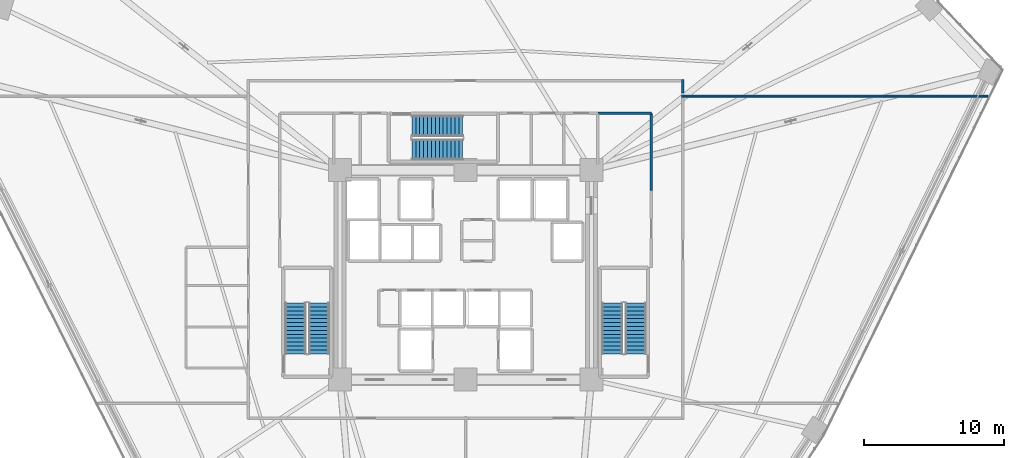
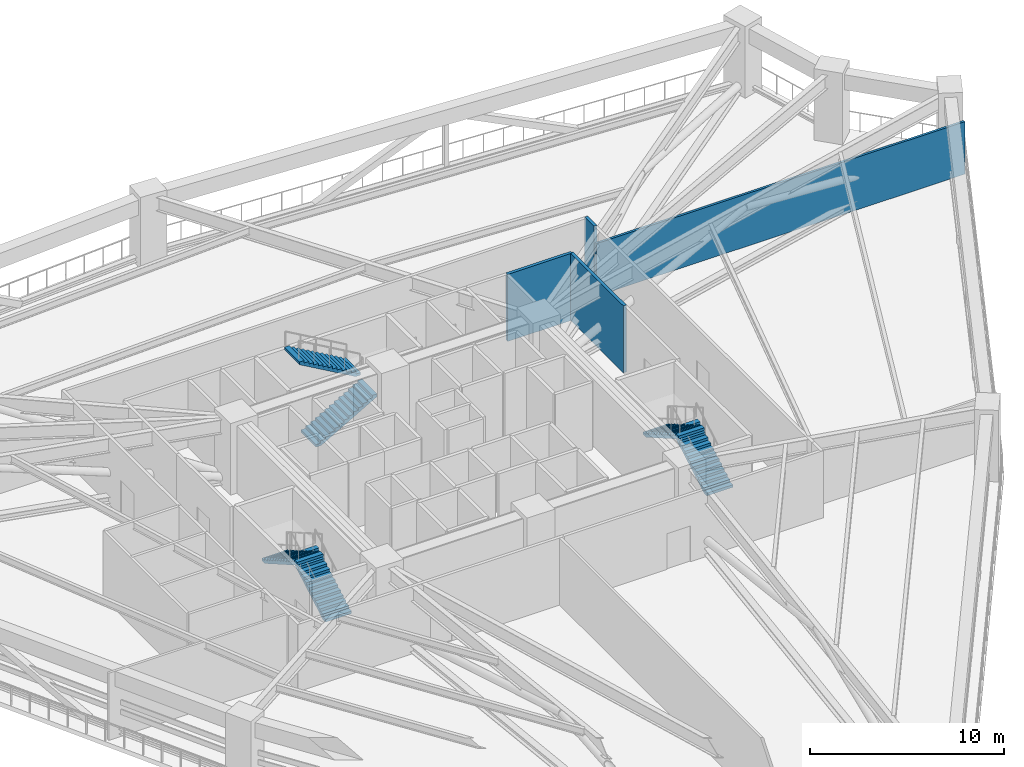
# One storey, part 20 of 25: 6 stair flights, 4 walls, 3 elements without a shape of their own.
"""IFC4 building model written with IfcOpenShell, lengths in metres."""

import ifcopenshell
import ifcopenshell.guid

model = None  # the IFC model being written
_history = None  # IfcOwnerHistory: only IFC2X3 demands one
_inside = {}  # id of a spatial element -> (the spatial element, [elements in it])
_under = {}  # id of a project, library or spatial element -> (it, [spatial elements below it])
_declared = {}  # id of a project -> (the project, [libraries it declares])
_typed = {}  # id of a type object -> (the type object, [elements of that type])
_made_of = {}  # id of a material, layer set ... -> (it, [elements and type objects made of it])


def new_model(schema):
    """Start an empty IFC model of exactly this schema.

    Asked for "IFC4X3", IfcOpenShell would pick the latest addendum, in which some entities
    have other attributes; the version numbers below select the first issue.
    IFC2X3 requires an IfcOwnerHistory on every rooted entity: one is made here for all.
    """
    global model, _history
    if schema == "IFC4X3":
        model = ifcopenshell.file(schema_version=(4, 3, 0, 0))
    else:
        model = ifcopenshell.file(schema=schema)
    _inside.clear()
    _under.clear()
    _declared.clear()
    _typed.clear()
    _made_of.clear()
    _history = None
    if model.schema == "IFC2X3":
        org = make("IfcOrganization", Name="unknown")
        user = make(
            "IfcPersonAndOrganization",
            ThePerson=make("IfcPerson", FamilyName="unknown"),
            TheOrganization=org,
        )
        app = make(
            "IfcApplication",
            ApplicationDeveloper=org,
            Version="unknown",
            ApplicationFullName="unknown",
            ApplicationIdentifier="unknown",
        )
        _history = make(
            "IfcOwnerHistory",
            OwningUser=user,
            OwningApplication=app,
            ChangeAction="ADDED",
            CreationDate=0,
        )
    return model


def make(cls, **values):
    """One entity of the class cls with the attributes given. An attribute that is None is left unset."""
    return model.create_entity(
        cls, **{name: value for name, value in values.items() if value is not None}
    )


def rooted(cls, **values):
    """An entity with a GlobalId (a new one), such as an element, a storey or a relation."""
    return make(cls, GlobalId=ifcopenshell.guid.new(), OwnerHistory=_history, **values)


def si_unit(unit_type, name, prefix=None):
    """IfcSIUnit, for example si_unit("LENGTHUNIT", "METRE", prefix="MILLI")."""
    return make("IfcSIUnit", UnitType=unit_type, Prefix=prefix, Name=name)


def assignment(units):
    """IfcUnitAssignment: the units of a project."""
    return None if units is None else make("IfcUnitAssignment", Units=units)


def point(xyz):
    """IfcCartesianPoint."""
    return None if xyz is None else make("IfcCartesianPoint", Coordinates=xyz)


def direction(xyz):
    """IfcDirection."""
    return None if xyz is None else make("IfcDirection", DirectionRatios=xyz)


def frame(location, z_axis=None, x_axis=None):
    """IfcAxis2Placement3D, a coordinate frame: its origin and axes. An axis left out is left unset."""
    return make(
        "IfcAxis2Placement3D",
        Location=point(location),
        Axis=direction(z_axis),
        RefDirection=direction(x_axis),
    )


def frame_2d(location, x_axis=None):
    """IfcAxis2Placement2D, a coordinate frame in the plane: its origin and x axis."""
    return make(
        "IfcAxis2Placement2D", Location=point(location), RefDirection=direction(x_axis)
    )


def origin():
    """The frame at (0, 0, 0) with its axes left unset."""
    return frame((0.0, 0.0, 0.0))


def place(relative_to, where):
    """IfcLocalPlacement: puts the frame where relative to a parent placement (None: the world)."""
    return make(
        "IfcLocalPlacement", PlacementRelTo=relative_to, RelativePlacement=where
    )


def context(
    kind, dimensions, precision=None, world=None, true_north=None, identifier=None
):
    """IfcGeometricRepresentationContext, for example the 3D "Model" context."""
    return make(
        "IfcGeometricRepresentationContext",
        ContextIdentifier=identifier,
        ContextType=kind,
        CoordinateSpaceDimension=dimensions,
        Precision=precision,
        WorldCoordinateSystem=world,
        TrueNorth=true_north,
    )


def subcontext(parent, identifier, kind, view, scale=None):
    """IfcGeometricRepresentationSubContext, for example "Body" below "Model"."""
    return make(
        "IfcGeometricRepresentationSubContext",
        ContextIdentifier=identifier,
        ContextType=kind,
        ParentContext=parent,
        TargetScale=scale,
        TargetView=view,
    )


def project(units=None, contexts=None):
    """IfcProject with its units and contexts."""
    return rooted(
        "IfcProject",
        Name="project",
        RepresentationContexts=contexts,
        UnitsInContext=assignment(units),
    )


def spatial(cls, under=None, at=None, **own):
    """A site, building, storey or space (cls), placed at a placement, below another one or the project."""
    s = rooted(cls, ObjectPlacement=at, **own)
    if under is not None:
        _under.setdefault(under.id(), (under, []))[1].append(s)
    return s


def polyline(points):
    """IfcPolyline through the points."""
    return make("IfcPolyline", Points=[point(p) for p in points])


def profile(cls, at=None, kind="AREA", **sizes):
    """A parametric profile (cls). Its sizes go by their IFC names, for example OverallWidth=200.0."""
    return make(cls, ProfileType=kind, Position=at, **sizes)


def rectangle(**sizes):
    """IfcRectangleProfileDef."""
    return profile("IfcRectangleProfileDef", **sizes)


def outline(outer, holes=None, kind="AREA"):
    """IfcArbitraryClosedProfileDef: a profile drawn as a closed curve; with holes, ...WithVoids."""
    if holes is None:
        return make("IfcArbitraryClosedProfileDef", ProfileType=kind, OuterCurve=outer)
    return make(
        "IfcArbitraryProfileDefWithVoids",
        ProfileType=kind,
        OuterCurve=outer,
        InnerCurves=holes,
    )


def extrude(swept, where, along, depth):
    """IfcExtrudedAreaSolid: the profile swept, set in the frame where, extruded along a direction by depth."""
    return make(
        "IfcExtrudedAreaSolid",
        SweptArea=swept,
        Position=where,
        ExtrudedDirection=direction(along),
        Depth=depth,
    )


def shape(context_of_items, identifier, shape_type, items):
    """IfcShapeRepresentation: the items that make up one representation, for example the "Body"."""
    return make(
        "IfcShapeRepresentation",
        ContextOfItems=context_of_items,
        RepresentationIdentifier=identifier,
        RepresentationType=shape_type,
        Items=items,
    )


def material(Name=None, Category=None):
    """IfcMaterial."""
    return make("IfcMaterial", Name=Name, Category=Category)


def layer(
    of_material, thickness, ventilated=None, Name=None, Category=None, Priority=None
):
    """IfcMaterialLayer: one layer of a wall or slab, of a material (None: an air gap)."""
    return make(
        "IfcMaterialLayer",
        Material=of_material,
        LayerThickness=thickness,
        IsVentilated=ventilated,
        Name=Name,
        Category=Category,
        Priority=Priority,
    )


def layer_set(layers, Name=None):
    """IfcMaterialLayerSet."""
    return make("IfcMaterialLayerSet", MaterialLayers=layers, LayerSetName=Name)


def made_of(thing, what):
    """Note that an element or type object is made of a material, layer set ...; save() writes the relation."""
    if what is not None:
        _made_of.setdefault(what.id(), (what, []))[1].append(thing)
    return thing


def type_object(cls, material=None, **own):
    """A type object (cls), such as IfcWallType, which elements share."""
    return made_of(rooted(cls, **own), material)


def element(
    cls,
    number,
    at=None,
    inside=None,
    cuts=None,
    type_object=None,
    material=None,
    context=None,
    identifier="Body",
    shape_type=None,
    held_by="IfcProductDefinitionShape",
    body=None,
    shapes=None,
    **own,
):
    """One element of the class cls, such as IfcWall. Its Tag is "e" and its number.

    at: its placement. inside: the storey or other place that contains it. cuts: it is an
    opening in that element (IfcRelVoidsElement). A single representation is given by context,
    identifier, shape_type and body (its items); several are given by shapes. held_by: the class
    of the entity that holds the representations. save() writes the other relations.
    """
    e = rooted(cls, Tag="e%d" % number, ObjectPlacement=at, **own)
    if body is not None:
        shapes = [shape(context, identifier, shape_type, body)]
    if shapes is not None:
        e.Representation = make(held_by, Representations=shapes)
    if inside is not None:
        _inside.setdefault(inside.id(), (inside, []))[1].append(e)
    if cuts is not None:
        rooted(
            "IfcRelVoidsElement", RelatingBuildingElement=cuts, RelatedOpeningElement=e
        )
    if type_object is not None:
        _typed.setdefault(type_object.id(), (type_object, []))[1].append(e)
    return made_of(e, material)


def aggregate(whole, parts):
    """IfcRelAggregates: a whole, such as a stair, and the parts it consists of."""
    return rooted("IfcRelAggregates", RelatingObject=whole, RelatedObjects=parts)


def save(model, path):
    """Write the relations noted so far, then the file.

    IfcRelAggregates (storeys below a building ...), IfcRelContainedInSpatialStructure (elements
    in a storey), IfcRelDefinesByType, IfcRelAssociatesMaterial and IfcRelDeclares: one each for
    every whole, place, type object, material and project.
    """
    for whole, parts in _under.values():
        aggregate(whole, parts)
    for where, things in _inside.values():
        rooted(
            "IfcRelContainedInSpatialStructure",
            RelatedElements=things,
            RelatingStructure=where,
        )
    for kind, things in _typed.values():
        rooted("IfcRelDefinesByType", RelatedObjects=things, RelatingType=kind)
    for what, things in _made_of.values():
        rooted("IfcRelAssociatesMaterial", RelatedObjects=things, RelatingMaterial=what)
    for by, libraries in _declared.values():
        rooted("IfcRelDeclares", RelatingContext=by, RelatedDefinitions=libraries)
    model.write(path)


model = new_model("IFC4")

# Units and contexts
model_context = context("Model", 3, precision=1e-05, world=origin(), true_north=direction((0.0, 1.0)))
body_context = subcontext(model_context, "Body", "Model", "MODEL_VIEW")
ifc_project = project(units=[si_unit("LENGTHUNIT", "METRE"), si_unit("AREAUNIT", "SQUARE_METRE"), si_unit("VOLUMEUNIT", "CUBIC_METRE"), si_unit("PLANEANGLEUNIT", "RADIAN"), si_unit("MASSUNIT", "GRAM", prefix="KILO")], contexts=[model_context])

# Site, building, storey
site_placement = place(None, origin())
site = spatial("IfcSite", under=ifc_project, at=site_placement, CompositionType="ELEMENT")
building_placement = place(site_placement, origin())
building = spatial("IfcBuilding", under=site, at=building_placement, Name="Liaohun Quay Tower", CompositionType="ELEMENT")
storey_placement = place(building_placement, frame((0.0, 0.0, 93.0)))
storey = spatial("IfcBuildingStorey", under=building, at=storey_placement, Name="L24", CompositionType="ELEMENT", Elevation=93.0)

# Walls
ifc_material_1 = material(Name="Autoclaved aerated concrete blockwork", Category="masonry")
ifc_layer_1 = layer(ifc_material_1, 0.179931640625, Name="Autoclaved aerated concrete blockwork", Category="masonry")
ifc_layer_set_1 = layer_set([ifc_layer_1], Name="Autoclaved aerated concrete blockwork")
wall_type_1 = type_object("IfcWallType", Name="WAL-PRT-COR", PredefinedType="PARTITIONING", material=ifc_layer_set_1)
wall_1_placement = place(storey_placement, frame((69.4599609375, 65.580078125, 0.0), z_axis=(0.0, 0.0, 1.0), x_axis=(1.0, 0.0, 0.0)))
element("IfcWall", 1, at=wall_1_placement, inside=storey, type_object=wall_type_1, Name="L24 Interior Partition Wall 035", PredefinedType="PARTITIONING", context=body_context, shape_type="SweptSolid", body=[
    extrude(rectangle(XDim=3.840087890625, YDim=0.179931640625, at=frame_2d((1.919921875, 0.0))), origin(), (0.0, 0.0, 1.0), 4.219970703125),
])
wall_2_placement = place(storey_placement, frame((73.300048828125, 60.06005859375, 0.0), z_axis=(0.0, 0.0, 1.0), x_axis=(0.0, 1.0, 0.0)))
element("IfcWall", 2, at=wall_2_placement, inside=storey, type_object=wall_type_1, Name="L24 Interior Partition Wall 037", PredefinedType="PARTITIONING", context=body_context, shape_type="SweptSolid", body=[
    extrude(rectangle(XDim=5.52001953125, YDim=0.179931640625, at=frame_2d((2.760009765625, 0.0))), origin(), (0.0, 0.0, 1.0), 4.219970703125),
])
wall_3_placement = place(storey_placement, frame((75.56005859375, 67.97998046875, 0.0), z_axis=(0.0, 0.0, 1.0), x_axis=(0.0, -1.0, 0.0)))
element("IfcWall", 3, at=wall_3_placement, inside=storey, type_object=wall_type_1, Name="L24 Interior Partition Wall 039", PredefinedType="PARTITIONING", context=body_context, shape_type="SweptSolid", body=[
    extrude(rectangle(XDim=0.965087890625, YDim=0.179931640625, at=frame_2d((0.482421875, 0.0))), origin(), (0.0, 0.0, 1.0), 4.219970703125),
])
ifc_material_2 = material(Name="Gypsum board on twin steel studs", Category="steel")
ifc_layer_2 = layer(ifc_material_2, 0.139892578125, Name="Gypsum board on twin steel studs", Category="steel")
ifc_layer_set_2 = layer_set([ifc_layer_2], Name="Gypsum board on twin steel studs")
wall_type_2 = type_object("IfcWallType", Name="WAL-PRT-OFF", PredefinedType="PARTITIONING", material=ifc_layer_set_2)
wall_4_placement = place(storey_placement, frame((75.4599609375, 66.800048828125, 0.0), z_axis=(0.0, 0.0, 1.0), x_axis=(1.0, 0.0, 0.0)))
element("IfcWall", 4, at=wall_4_placement, inside=storey, type_object=wall_type_2, Name="L24 Interior Partition Wall 046", PredefinedType="PARTITIONING", context=body_context, shape_type="SweptSolid", body=[
    extrude(rectangle(XDim=21.91015625, YDim=0.139892578125, at=frame_2d((10.955078125, 0.0))), origin(), (0.0, 0.0, 1.0), 3.304931640625),
])

# Stair, stair flights
ifc_material_3 = material(Name="Concrete C45", Category="concrete")
stair_type = type_object("IfcStairType", Name="STR-CORE-TALL", PredefinedType="HALF_TURN_STAIR", material=ifc_material_3)
stair_1_placement = place(storey_placement, origin())
stair_1 = element("IfcStair", 5, at=stair_1_placement, inside=storey, type_object=stair_type, Name="L24 Smokeproof Core Exit Stair ST-1", PredefinedType="HALF_TURN_STAIR")
stair_flight_type = type_object("IfcStairFlightType", Name="FLT-CORE-155", PredefinedType="STRAIGHT", material=ifc_material_3)
stair_flight_1_placement = place(storey_placement, frame((49.5048828125, 48.35009765625, 0.0), z_axis=(0.0, 0.0, 1.0), x_axis=(0.0, 1.0, 0.0)))
stair_flight_1 = element("IfcStairFlight", 6, at=stair_flight_1_placement, type_object=stair_flight_type, Name="ST-1 flight 1", NumberOfRisers=14, NumberOfTreads=13, PredefinedType="STRAIGHT", RiserHeight=0.160714286, TreadLength=0.28, context=body_context, shape_type="SweptSolid", body=[
    extrude(outline(polyline([(0.0, 0.0), (0.0, 0.16064453125), (0.280029296875, 0.16064453125), (0.280029296875, 0.321533203125), (0.56005859375, 0.321533203125), (0.56005859375, 0.482177734375), (0.840087890625, 0.482177734375), (0.840087890625, 0.642822265625), (1.1201171875, 0.642822265625), (1.1201171875, 0.803466796875), (1.39990234375, 0.803466796875), (1.39990234375, 0.96435546875), (1.679931640625, 0.96435546875), (1.679931640625, 1.125), (1.9599609375, 1.125), (1.9599609375, 1.28564453125), (2.239990234375, 1.28564453125), (2.239990234375, 1.446533203125), (2.52001953125, 1.446533203125), (2.52001953125, 1.607177734375), (2.800048828125, 1.607177734375), (2.800048828125, 1.767822265625), (3.080078125, 1.767822265625), (3.080078125, 1.928466796875), (3.360107421875, 1.928466796875), (3.360107421875, 2.08935546875), (3.639892578125, 2.08935546875), (3.639892578125, 2.25), (3.639892578125, 1.91650390625), (0.301025390625, 0.0), (0.0, 0.0)])), frame((0.0, 0.77490234375, 0.0), z_axis=(0.0, -1.0, 0.0), x_axis=(1.0, 0.0, 0.0)), (0.0, 0.0, 1.0), 1.550048828125),
])
stair_flight_2_placement = place(storey_placement, frame((47.81494140625, 51.989990234375, 2.25), z_axis=(0.0, 0.0, 1.0), x_axis=(0.0, -1.0, 0.0)))
stair_flight_2 = element("IfcStairFlight", 7, at=stair_flight_2_placement, type_object=stair_flight_type, Name="ST-1 flight 2", NumberOfRisers=14, NumberOfTreads=13, PredefinedType="STRAIGHT", RiserHeight=0.160714286, TreadLength=0.28, context=body_context, shape_type="SweptSolid", body=[
    extrude(outline(polyline([(0.0, 0.0), (0.0, 0.16064453125), (0.280029296875, 0.16064453125), (0.280029296875, 0.321533203125), (0.56005859375, 0.321533203125), (0.56005859375, 0.482177734375), (0.840087890625, 0.482177734375), (0.840087890625, 0.642822265625), (1.1201171875, 0.642822265625), (1.1201171875, 0.803466796875), (1.39990234375, 0.803466796875), (1.39990234375, 0.96435546875), (1.679931640625, 0.96435546875), (1.679931640625, 1.125), (1.9599609375, 1.125), (1.9599609375, 1.28564453125), (2.239990234375, 1.28564453125), (2.239990234375, 1.446533203125), (2.52001953125, 1.446533203125), (2.52001953125, 1.607177734375), (2.800048828125, 1.607177734375), (2.800048828125, 1.767822265625), (3.080078125, 1.767822265625), (3.080078125, 1.928466796875), (3.360107421875, 1.928466796875), (3.360107421875, 2.08935546875), (3.639892578125, 2.08935546875), (3.639892578125, 2.25), (3.639892578125, 1.91650390625), (0.301025390625, 0.0), (0.0, 0.0)])), frame((0.0, 0.77490234375, 0.0), z_axis=(0.0, -1.0, 0.0), x_axis=(1.0, 0.0, 0.0)), (0.0, 0.0, 1.0), 1.550048828125),
])
aggregate(stair_1, [stair_flight_1, stair_flight_2])

stair_2_placement = place(storey_placement, origin())
stair_2 = element("IfcStair", 8, at=stair_2_placement, inside=storey, type_object=stair_type, Name="L24 Smokeproof Core Exit Stair ST-2", PredefinedType="HALF_TURN_STAIR")
stair_flight_3_placement = place(storey_placement, frame((72.18505859375, 48.35009765625, 0.0), z_axis=(0.0, 0.0, 1.0), x_axis=(0.0, 1.0, 0.0)))
stair_flight_3 = element("IfcStairFlight", 9, at=stair_flight_3_placement, type_object=stair_flight_type, Name="ST-2 flight 1", NumberOfRisers=14, NumberOfTreads=13, PredefinedType="STRAIGHT", RiserHeight=0.160714286, TreadLength=0.28, context=body_context, shape_type="SweptSolid", body=[
    extrude(outline(polyline([(0.0, 0.0), (0.0, 0.16064453125), (0.280029296875, 0.16064453125), (0.280029296875, 0.321533203125), (0.56005859375, 0.321533203125), (0.56005859375, 0.482177734375), (0.840087890625, 0.482177734375), (0.840087890625, 0.642822265625), (1.1201171875, 0.642822265625), (1.1201171875, 0.803466796875), (1.39990234375, 0.803466796875), (1.39990234375, 0.96435546875), (1.679931640625, 0.96435546875), (1.679931640625, 1.125), (1.9599609375, 1.125), (1.9599609375, 1.28564453125), (2.239990234375, 1.28564453125), (2.239990234375, 1.446533203125), (2.52001953125, 1.446533203125), (2.52001953125, 1.607177734375), (2.800048828125, 1.607177734375), (2.800048828125, 1.767822265625), (3.080078125, 1.767822265625), (3.080078125, 1.928466796875), (3.360107421875, 1.928466796875), (3.360107421875, 2.08935546875), (3.639892578125, 2.08935546875), (3.639892578125, 2.25), (3.639892578125, 1.91650390625), (0.301025390625, 0.0), (0.0, 0.0)])), frame((0.0, 0.77490234375, 0.0), z_axis=(0.0, -1.0, 0.0), x_axis=(1.0, 0.0, 0.0)), (0.0, 0.0, 1.0), 1.550048828125),
])
stair_flight_4_placement = place(storey_placement, frame((70.4951171875, 51.989990234375, 2.25), z_axis=(0.0, 0.0, 1.0), x_axis=(0.0, -1.0, 0.0)))
stair_flight_4 = element("IfcStairFlight", 10, at=stair_flight_4_placement, type_object=stair_flight_type, Name="ST-2 flight 2", NumberOfRisers=14, NumberOfTreads=13, PredefinedType="STRAIGHT", RiserHeight=0.160714286, TreadLength=0.28, context=body_context, shape_type="SweptSolid", body=[
    extrude(outline(polyline([(0.0, 0.0), (0.0, 0.16064453125), (0.280029296875, 0.16064453125), (0.280029296875, 0.321533203125), (0.56005859375, 0.321533203125), (0.56005859375, 0.482177734375), (0.840087890625, 0.482177734375), (0.840087890625, 0.642822265625), (1.1201171875, 0.642822265625), (1.1201171875, 0.803466796875), (1.39990234375, 0.803466796875), (1.39990234375, 0.96435546875), (1.679931640625, 0.96435546875), (1.679931640625, 1.125), (1.9599609375, 1.125), (1.9599609375, 1.28564453125), (2.239990234375, 1.28564453125), (2.239990234375, 1.446533203125), (2.52001953125, 1.446533203125), (2.52001953125, 1.607177734375), (2.800048828125, 1.607177734375), (2.800048828125, 1.767822265625), (3.080078125, 1.767822265625), (3.080078125, 1.928466796875), (3.360107421875, 1.928466796875), (3.360107421875, 2.08935546875), (3.639892578125, 2.08935546875), (3.639892578125, 2.25), (3.639892578125, 1.91650390625), (0.301025390625, 0.0), (0.0, 0.0)])), frame((0.0, 0.77490234375, 0.0), z_axis=(0.0, -1.0, 0.0), x_axis=(1.0, 0.0, 0.0)), (0.0, 0.0, 1.0), 1.550048828125),
])
aggregate(stair_2, [stair_flight_3, stair_flight_4])

stair_3_placement = place(storey_placement, origin())
stair_3 = element("IfcStair", 11, at=stair_3_placement, inside=storey, type_object=stair_type, Name="L24 Smokeproof Core Exit Stair ST-3", PredefinedType="HALF_TURN_STAIR")
stair_flight_5_placement = place(storey_placement, frame((56.14990234375, 62.97509765625, 0.0), z_axis=(0.0, 0.0, 1.0), x_axis=(1.0, 0.0, 0.0)))
stair_flight_5 = element("IfcStairFlight", 12, at=stair_flight_5_placement, type_object=stair_flight_type, Name="ST-3 flight 1", NumberOfRisers=14, NumberOfTreads=13, PredefinedType="STRAIGHT", RiserHeight=0.160714286, TreadLength=0.28, context=body_context, shape_type="SweptSolid", body=[
    extrude(outline(polyline([(0.0, 0.0), (0.0, 0.16064453125), (0.280029296875, 0.16064453125), (0.280029296875, 0.321533203125), (0.56005859375, 0.321533203125), (0.56005859375, 0.482177734375), (0.840087890625, 0.482177734375), (0.840087890625, 0.642822265625), (1.1201171875, 0.642822265625), (1.1201171875, 0.803466796875), (1.39990234375, 0.803466796875), (1.39990234375, 0.96435546875), (1.679931640625, 0.96435546875), (1.679931640625, 1.125), (1.9599609375, 1.125), (1.9599609375, 1.28564453125), (2.239990234375, 1.28564453125), (2.239990234375, 1.446533203125), (2.52001953125, 1.446533203125), (2.52001953125, 1.607177734375), (2.800048828125, 1.607177734375), (2.800048828125, 1.767822265625), (3.080078125, 1.767822265625), (3.080078125, 1.928466796875), (3.360107421875, 1.928466796875), (3.360107421875, 2.08935546875), (3.639892578125, 2.08935546875), (3.639892578125, 2.25), (3.639892578125, 1.91650390625), (0.301025390625, 0.0), (0.0, 0.0)])), frame((0.0, 0.77490234375, 0.0), z_axis=(0.0, -1.0, 0.0), x_axis=(1.0, 0.0, 0.0)), (0.0, 0.0, 1.0), 1.550048828125),
])
stair_flight_6_placement = place(storey_placement, frame((59.7900390625, 64.6650390625, 2.25), z_axis=(0.0, 0.0, 1.0), x_axis=(-1.0, 0.0, 0.0)))
stair_flight_6 = element("IfcStairFlight", 13, at=stair_flight_6_placement, type_object=stair_flight_type, Name="ST-3 flight 2", NumberOfRisers=14, NumberOfTreads=13, PredefinedType="STRAIGHT", RiserHeight=0.160714286, TreadLength=0.28, context=body_context, shape_type="SweptSolid", body=[
    extrude(outline(polyline([(0.0, 0.0), (0.0, 0.16064453125), (0.280029296875, 0.16064453125), (0.280029296875, 0.321533203125), (0.56005859375, 0.321533203125), (0.56005859375, 0.482177734375), (0.840087890625, 0.482177734375), (0.840087890625, 0.642822265625), (1.1201171875, 0.642822265625), (1.1201171875, 0.803466796875), (1.39990234375, 0.803466796875), (1.39990234375, 0.96435546875), (1.679931640625, 0.96435546875), (1.679931640625, 1.125), (1.9599609375, 1.125), (1.9599609375, 1.28564453125), (2.239990234375, 1.28564453125), (2.239990234375, 1.446533203125), (2.52001953125, 1.446533203125), (2.52001953125, 1.607177734375), (2.800048828125, 1.607177734375), (2.800048828125, 1.767822265625), (3.080078125, 1.767822265625), (3.080078125, 1.928466796875), (3.360107421875, 1.928466796875), (3.360107421875, 2.08935546875), (3.639892578125, 2.08935546875), (3.639892578125, 2.25), (3.639892578125, 1.91650390625), (0.301025390625, 0.0), (0.0, 0.0)])), frame((0.0, 0.77490234375, 0.0), z_axis=(0.0, -1.0, 0.0), x_axis=(1.0, 0.0, 0.0)), (0.0, 0.0, 1.0), 1.550048828125),
])
aggregate(stair_3, [stair_flight_5, stair_flight_6])

save(model, "model.ifc")
